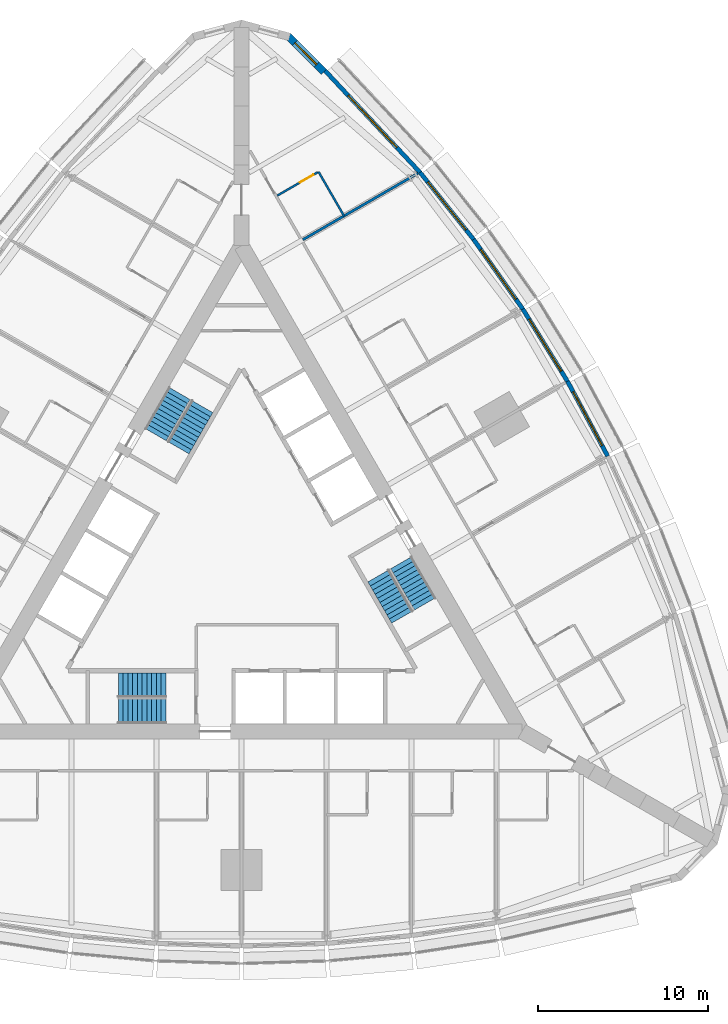
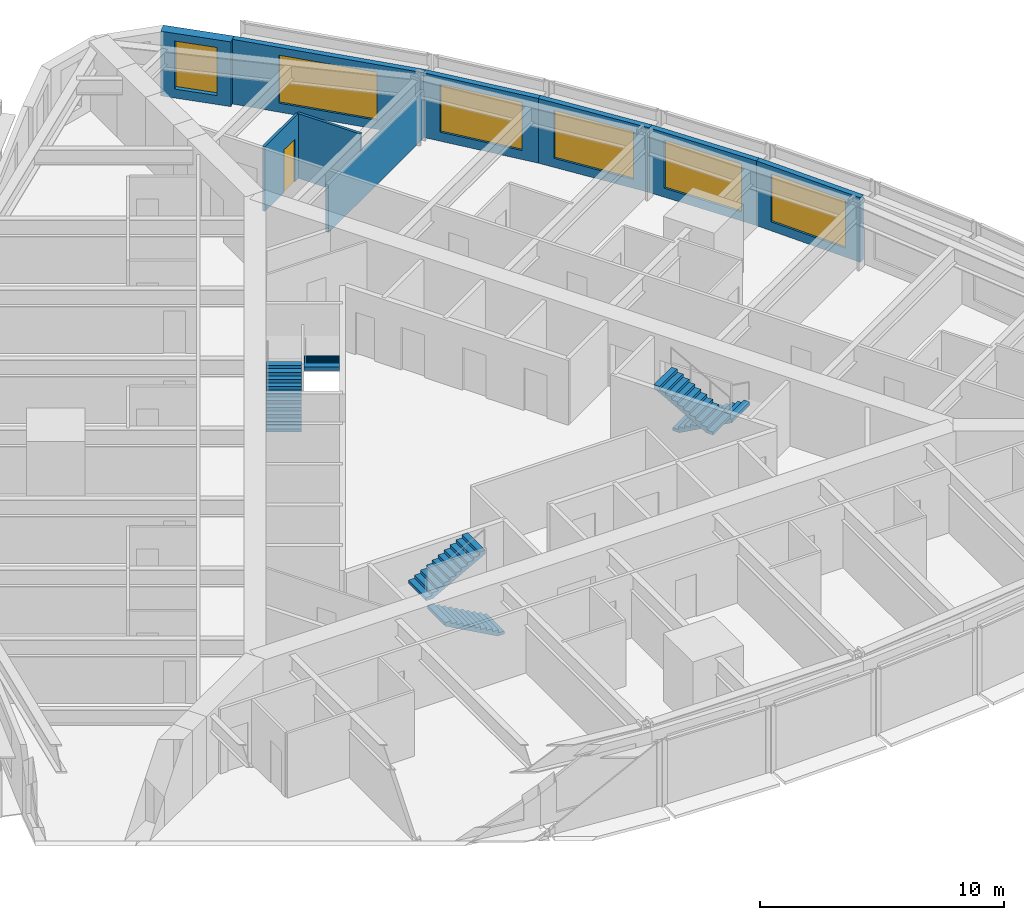
# One storey, part 13 of 14: 9 walls, 6 stair flights, 6 windows, 1 door, 7 openings, 3 elements without a shape of their own.
"""IFC4 building model written with IfcOpenShell, lengths in metres."""

import ifcopenshell
import ifcopenshell.guid

model = None  # the IFC model being written
_history = None  # IfcOwnerHistory: only IFC2X3 demands one
_inside = {}  # id of a spatial element -> (the spatial element, [elements in it])
_under = {}  # id of a project, library or spatial element -> (it, [spatial elements below it])
_declared = {}  # id of a project -> (the project, [libraries it declares])
_typed = {}  # id of a type object -> (the type object, [elements of that type])
_made_of = {}  # id of a material, layer set ... -> (it, [elements and type objects made of it])


def new_model(schema):
    """Start an empty IFC model of exactly this schema.

    Asked for "IFC4X3", IfcOpenShell would pick the latest addendum, in which some entities
    have other attributes; the version numbers below select the first issue.
    IFC2X3 requires an IfcOwnerHistory on every rooted entity: one is made here for all.
    """
    global model, _history
    if schema == "IFC4X3":
        model = ifcopenshell.file(schema_version=(4, 3, 0, 0))
    else:
        model = ifcopenshell.file(schema=schema)
    _inside.clear()
    _under.clear()
    _declared.clear()
    _typed.clear()
    _made_of.clear()
    _history = None
    if model.schema == "IFC2X3":
        org = make("IfcOrganization", Name="unknown")
        user = make(
            "IfcPersonAndOrganization",
            ThePerson=make("IfcPerson", FamilyName="unknown"),
            TheOrganization=org,
        )
        app = make(
            "IfcApplication",
            ApplicationDeveloper=org,
            Version="unknown",
            ApplicationFullName="unknown",
            ApplicationIdentifier="unknown",
        )
        _history = make(
            "IfcOwnerHistory",
            OwningUser=user,
            OwningApplication=app,
            ChangeAction="ADDED",
            CreationDate=0,
        )
    return model


def make(cls, **values):
    """One entity of the class cls with the attributes given. An attribute that is None is left unset."""
    return model.create_entity(
        cls, **{name: value for name, value in values.items() if value is not None}
    )


def rooted(cls, **values):
    """An entity with a GlobalId (a new one), such as an element, a storey or a relation."""
    return make(cls, GlobalId=ifcopenshell.guid.new(), OwnerHistory=_history, **values)


def si_unit(unit_type, name, prefix=None):
    """IfcSIUnit, for example si_unit("LENGTHUNIT", "METRE", prefix="MILLI")."""
    return make("IfcSIUnit", UnitType=unit_type, Prefix=prefix, Name=name)


def assignment(units):
    """IfcUnitAssignment: the units of a project."""
    return None if units is None else make("IfcUnitAssignment", Units=units)


def point(xyz):
    """IfcCartesianPoint."""
    return None if xyz is None else make("IfcCartesianPoint", Coordinates=xyz)


def direction(xyz):
    """IfcDirection."""
    return None if xyz is None else make("IfcDirection", DirectionRatios=xyz)


def frame(location, z_axis=None, x_axis=None):
    """IfcAxis2Placement3D, a coordinate frame: its origin and axes. An axis left out is left unset."""
    return make(
        "IfcAxis2Placement3D",
        Location=point(location),
        Axis=direction(z_axis),
        RefDirection=direction(x_axis),
    )


def frame_2d(location, x_axis=None):
    """IfcAxis2Placement2D, a coordinate frame in the plane: its origin and x axis."""
    return make(
        "IfcAxis2Placement2D", Location=point(location), RefDirection=direction(x_axis)
    )


def origin():
    """The frame at (0, 0, 0) with its axes left unset."""
    return frame((0.0, 0.0, 0.0))


def place(relative_to, where):
    """IfcLocalPlacement: puts the frame where relative to a parent placement (None: the world)."""
    return make(
        "IfcLocalPlacement", PlacementRelTo=relative_to, RelativePlacement=where
    )


def context(
    kind, dimensions, precision=None, world=None, true_north=None, identifier=None
):
    """IfcGeometricRepresentationContext, for example the 3D "Model" context."""
    return make(
        "IfcGeometricRepresentationContext",
        ContextIdentifier=identifier,
        ContextType=kind,
        CoordinateSpaceDimension=dimensions,
        Precision=precision,
        WorldCoordinateSystem=world,
        TrueNorth=true_north,
    )


def subcontext(parent, identifier, kind, view, scale=None):
    """IfcGeometricRepresentationSubContext, for example "Body" below "Model"."""
    return make(
        "IfcGeometricRepresentationSubContext",
        ContextIdentifier=identifier,
        ContextType=kind,
        ParentContext=parent,
        TargetScale=scale,
        TargetView=view,
    )


def project(units=None, contexts=None):
    """IfcProject with its units and contexts."""
    return rooted(
        "IfcProject",
        Name="project",
        RepresentationContexts=contexts,
        UnitsInContext=assignment(units),
    )


def spatial(cls, under=None, at=None, **own):
    """A site, building, storey or space (cls), placed at a placement, below another one or the project."""
    s = rooted(cls, ObjectPlacement=at, **own)
    if under is not None:
        _under.setdefault(under.id(), (under, []))[1].append(s)
    return s


def polyline(points):
    """IfcPolyline through the points."""
    return make("IfcPolyline", Points=[point(p) for p in points])


def profile(cls, at=None, kind="AREA", **sizes):
    """A parametric profile (cls). Its sizes go by their IFC names, for example OverallWidth=200.0."""
    return make(cls, ProfileType=kind, Position=at, **sizes)


def rectangle(**sizes):
    """IfcRectangleProfileDef."""
    return profile("IfcRectangleProfileDef", **sizes)


def outline(outer, holes=None, kind="AREA"):
    """IfcArbitraryClosedProfileDef: a profile drawn as a closed curve; with holes, ...WithVoids."""
    if holes is None:
        return make("IfcArbitraryClosedProfileDef", ProfileType=kind, OuterCurve=outer)
    return make(
        "IfcArbitraryProfileDefWithVoids",
        ProfileType=kind,
        OuterCurve=outer,
        InnerCurves=holes,
    )


def extrude(swept, where, along, depth):
    """IfcExtrudedAreaSolid: the profile swept, set in the frame where, extruded along a direction by depth."""
    return make(
        "IfcExtrudedAreaSolid",
        SweptArea=swept,
        Position=where,
        ExtrudedDirection=direction(along),
        Depth=depth,
    )


def shape(context_of_items, identifier, shape_type, items):
    """IfcShapeRepresentation: the items that make up one representation, for example the "Body"."""
    return make(
        "IfcShapeRepresentation",
        ContextOfItems=context_of_items,
        RepresentationIdentifier=identifier,
        RepresentationType=shape_type,
        Items=items,
    )


def material(Name=None, Category=None):
    """IfcMaterial."""
    return make("IfcMaterial", Name=Name, Category=Category)


def layer(
    of_material, thickness, ventilated=None, Name=None, Category=None, Priority=None
):
    """IfcMaterialLayer: one layer of a wall or slab, of a material (None: an air gap)."""
    return make(
        "IfcMaterialLayer",
        Material=of_material,
        LayerThickness=thickness,
        IsVentilated=ventilated,
        Name=Name,
        Category=Category,
        Priority=Priority,
    )


def layer_set(layers, Name=None):
    """IfcMaterialLayerSet."""
    return make("IfcMaterialLayerSet", MaterialLayers=layers, LayerSetName=Name)


def made_of(thing, what):
    """Note that an element or type object is made of a material, layer set ...; save() writes the relation."""
    if what is not None:
        _made_of.setdefault(what.id(), (what, []))[1].append(thing)
    return thing


def type_object(cls, material=None, **own):
    """A type object (cls), such as IfcWallType, which elements share."""
    return made_of(rooted(cls, **own), material)


def element(
    cls,
    number,
    at=None,
    inside=None,
    cuts=None,
    type_object=None,
    material=None,
    context=None,
    identifier="Body",
    shape_type=None,
    held_by="IfcProductDefinitionShape",
    body=None,
    shapes=None,
    **own,
):
    """One element of the class cls, such as IfcWall. Its Tag is "e" and its number.

    at: its placement. inside: the storey or other place that contains it. cuts: it is an
    opening in that element (IfcRelVoidsElement). A single representation is given by context,
    identifier, shape_type and body (its items); several are given by shapes. held_by: the class
    of the entity that holds the representations. save() writes the other relations.
    """
    e = rooted(cls, Tag="e%d" % number, ObjectPlacement=at, **own)
    if body is not None:
        shapes = [shape(context, identifier, shape_type, body)]
    if shapes is not None:
        e.Representation = make(held_by, Representations=shapes)
    if inside is not None:
        _inside.setdefault(inside.id(), (inside, []))[1].append(e)
    if cuts is not None:
        rooted(
            "IfcRelVoidsElement", RelatingBuildingElement=cuts, RelatedOpeningElement=e
        )
    if type_object is not None:
        _typed.setdefault(type_object.id(), (type_object, []))[1].append(e)
    return made_of(e, material)


def fill(opening, filler):
    """IfcRelFillsElement: the door or window that sits in an opening."""
    return rooted(
        "IfcRelFillsElement",
        RelatingOpeningElement=opening,
        RelatedBuildingElement=filler,
    )


def aggregate(whole, parts):
    """IfcRelAggregates: a whole, such as a stair, and the parts it consists of."""
    return rooted("IfcRelAggregates", RelatingObject=whole, RelatedObjects=parts)


def save(model, path):
    """Write the relations noted so far, then the file.

    IfcRelAggregates (storeys below a building ...), IfcRelContainedInSpatialStructure (elements
    in a storey), IfcRelDefinesByType, IfcRelAssociatesMaterial and IfcRelDeclares: one each for
    every whole, place, type object, material and project.
    """
    for whole, parts in _under.values():
        aggregate(whole, parts)
    for where, things in _inside.values():
        rooted(
            "IfcRelContainedInSpatialStructure",
            RelatedElements=things,
            RelatingStructure=where,
        )
    for kind, things in _typed.values():
        rooted("IfcRelDefinesByType", RelatedObjects=things, RelatingType=kind)
    for what, things in _made_of.values():
        rooted("IfcRelAssociatesMaterial", RelatedObjects=things, RelatingMaterial=what)
    for by, libraries in _declared.values():
        rooted("IfcRelDeclares", RelatingContext=by, RelatedDefinitions=libraries)
    model.write(path)


model = new_model("IFC4")

# Units and contexts
model_context = context("Model", 3, precision=1e-05, world=origin(), true_north=direction((0.0, 1.0)))
body_context = subcontext(model_context, "Body", "Model", "MODEL_VIEW")
ifc_project = project(units=[si_unit("LENGTHUNIT", "METRE"), si_unit("AREAUNIT", "SQUARE_METRE"), si_unit("VOLUMEUNIT", "CUBIC_METRE"), si_unit("PLANEANGLEUNIT", "RADIAN"), si_unit("MASSUNIT", "GRAM", prefix="KILO")], contexts=[model_context])

# Site, building, storey
site_placement = place(None, origin())
site = spatial("IfcSite", under=ifc_project, at=site_placement, CompositionType="ELEMENT")
building_placement = place(site_placement, origin())
building = spatial("IfcBuilding", under=site, at=building_placement, Name="Trikona Tower", CompositionType="ELEMENT")
storey_placement = place(building_placement, frame((0.0, 0.0, 86.300048828125)))
storey = spatial("IfcBuildingStorey", under=building, at=storey_placement, Name="L22", CompositionType="ELEMENT", Elevation=86.300048828125)

# Wall
ifc_material_1 = material(Name="Metal stud and cement board", Category="gypsum")
ifc_layer_1 = layer(ifc_material_1, 0.1201171875)
ifc_layer_set_1 = layer_set([ifc_layer_1], Name="Bathroom wall 120")
wall_type_1 = type_object("IfcWallType", Name="Bathroom wall 120", PredefinedType="PLUMBINGWALL", material=ifc_layer_set_1)
wall_1_placement = place(storey_placement, frame((6.03271484375, 20.803466796875, 0.0), z_axis=(0.0, 0.0, 1.0), x_axis=(-0.499990139034, 0.866031096941, 0.0)))
element("IfcWall", 1, at=wall_1_placement, inside=storey, type_object=wall_type_1, Name="Bathroom wall 2212", PredefinedType="PLUMBINGWALL", context=body_context, shape_type="SweptSolid", body=[
    extrude(rectangle(XDim=3.0, YDim=0.1201171875, at=frame_2d((1.5, 0.0))), origin(), (0.0, 0.0, 1.0), 3.23486328125),
])

# Wall, opening, door
wall_2_placement = place(storey_placement, frame((2.10791015625, 22.001708984375, 0.0), z_axis=(0.0, 0.0, 1.0), x_axis=(0.866035715982, 0.499982138324, 0.0)))
wall_2 = element("IfcWall", 2, at=wall_2_placement, inside=storey, type_object=wall_type_1, Name="Bathroom wall 2212", PredefinedType="PLUMBINGWALL", context=body_context, shape_type="SweptSolid", body=[
    extrude(rectangle(XDim=2.73974609375, YDim=0.1201171875, at=frame_2d((1.369873046875, 0.0))), origin(), (0.0, 0.0, 1.0), 3.23486328125),
])
opening_1_placement = place(wall_2_placement, frame((1.550048828125, 0.0, 0.0)))
opening_1 = element("IfcOpeningElement", 3, at=opening_1_placement, cuts=wall_2, Name="Opening D2", PredefinedType="OPENING", context=body_context, shape_type="SweptSolid", body=[
    extrude(rectangle(XDim=0.89990234375, YDim=2.1298828125, at=frame_2d((0.449951171875, 1.06494140625))), frame((0.0, 0.070068359375, 0.0), z_axis=(0.0, -1.0, 0.0), x_axis=(1.0, 0.0, 0.0)), (0.0, 0.0, 1.0), 0.14013671875),
])
ifc_material_2 = material(Name="Steel door frame with solid-core timber leaf", Category="steel")
door_type = type_object("IfcDoorType", Name="Bathroom door 900x2130", OperationType="SLIDING_TO_LEFT", PredefinedType="DOOR", material=ifc_material_2)
door_placement = place(opening_1_placement, origin())
door = element("IfcDoor", 4, at=door_placement, inside=storey, type_object=door_type, Name="Bathroom door 2212", OperationType="SLIDING_TO_LEFT", OverallHeight=2.1298828125, OverallWidth=0.89990234375, PredefinedType="DOOR", context=body_context, shape_type="SweptSolid", body=[
    extrude(rectangle(XDim=0.89990234375, YDim=2.1298828125, at=frame_2d((0.449951171875, 1.06494140625))), frame((0.0, 0.02490234375, 0.0), z_axis=(0.0, -1.0, 0.0), x_axis=(1.0, 0.0, 0.0)), (0.0, 0.0, 1.0), 0.050048828125),
])
fill(opening_1, door)

# Wall, opening, window
ifc_material_3 = material(Name="Brick-faced precast concrete", Category="masonry")
ifc_layer_2 = layer(ifc_material_3, 0.449951171875)
ifc_layer_set_2 = layer_set([ifc_layer_2], Name="Brick-faced corner wall 450")
wall_type_2 = type_object("IfcWallType", Name="Brick-faced corner wall 450", PredefinedType="SOLIDWALL", material=ifc_layer_set_2)
wall_3_placement = place(storey_placement, frame((4.8408203125, 29.285888671875, 0.0), z_axis=(0.0, 0.0, 1.0), x_axis=(-0.707106781187, 0.707106781187, 0.0)))
wall_3 = element("IfcWall", 5, at=wall_3_placement, inside=storey, type_object=wall_type_2, Name="External wall L22-20", PredefinedType="SOLIDWALL", context=body_context, shape_type="SweptSolid", body=[
    extrude(rectangle(XDim=2.98828125, YDim=0.449951171875, at=frame_2d((1.494140625, 0.0))), origin(), (0.0, 0.0, 1.0), 3.23486328125),
])
opening_2_placement = place(wall_3_placement, frame((0.59423828125, 0.0, 0.449951171875)))
opening_2 = element("IfcOpeningElement", 6, at=opening_2_placement, cuts=wall_3, Name="Opening W1824", PredefinedType="OPENING", context=body_context, shape_type="SweptSolid", body=[
    extrude(rectangle(XDim=1.800048828125, YDim=2.39990234375, at=frame_2d((0.89990234375, 1.199951171875))), frame((0.0, 0.23486328125, 0.0), z_axis=(0.0, -1.0, 0.0), x_axis=(1.0, 0.0, 0.0)), (0.0, 0.0, 1.0), 0.469970703125),
])
ifc_material_4 = material(Name="Aluminium-framed double glazing", Category="aluminium")
window_type_1 = type_object("IfcWindowType", Name="Window 1800x2400", PartitioningType="SINGLE_PANEL", PredefinedType="WINDOW", material=ifc_material_4)
window_1_placement = place(opening_2_placement, origin())
window_1 = element("IfcWindow", 7, at=window_1_placement, inside=storey, type_object=window_type_1, Name="Window 2212", OverallHeight=2.39990234375, OverallWidth=1.800048828125, PartitioningType="SINGLE_PANEL", PredefinedType="WINDOW", context=body_context, shape_type="SweptSolid", body=[
    extrude(rectangle(XDim=1.800048828125, YDim=2.39990234375, at=frame_2d((0.89990234375, 1.199951171875))), frame((0.0, 0.030029296875, 0.0), z_axis=(0.0, -1.0, 0.0), x_axis=(1.0, 0.0, 0.0)), (0.0, 0.0, 1.0), 0.06005859375),
])
fill(opening_2, window_1)

ifc_material_5 = material(Name="Insulated precast concrete spandrel panel", Category="concrete")
ifc_layer_3 = layer(ifc_material_5, 0.25)
ifc_layer_set_3 = layer_set([ifc_layer_3], Name="Inner skin wall 250")
wall_type_3 = type_object("IfcWallType", Name="Inner skin wall 250", PredefinedType="STANDARD", material=ifc_layer_set_3)
wall_4_placement = place(storey_placement, frame((21.546630859375, 6.6708984375, 0.0), z_axis=(0.0, 0.0, 1.0), x_axis=(-0.473412820489, 0.880840678782, 0.0)))
wall_4 = element("IfcWall", 8, at=wall_4_placement, inside=storey, type_object=wall_type_3, Name="External wall L22-15", PredefinedType="STANDARD", context=body_context, shape_type="SweptSolid", body=[
    extrude(rectangle(XDim=5.00244140625, YDim=0.25, at=frame_2d((2.501220703125, 0.0))), origin(), (0.0, 0.0, 1.0), 3.23486328125),
])
opening_3_placement = place(wall_4_placement, frame((0.701171875, 0.0, 0.449951171875)))
opening_3 = element("IfcOpeningElement", 9, at=opening_3_placement, cuts=wall_4, Name="Opening W3624", PredefinedType="OPENING", context=body_context, shape_type="SweptSolid", body=[
    extrude(rectangle(XDim=3.60009765625, YDim=2.39990234375, at=frame_2d((1.800048828125, 1.199951171875))), frame((0.0, 0.135009765625, 0.0), z_axis=(0.0, -1.0, 0.0), x_axis=(1.0, 0.0, 0.0)), (0.0, 0.0, 1.0), 0.27001953125),
])
ifc_material_6 = material(Name="Aluminium-framed double glazing", Category="aluminium")
window_type_2 = type_object("IfcWindowType", Name="Window 3600x2400", PartitioningType="SINGLE_PANEL", PredefinedType="WINDOW", material=ifc_material_6)
window_2_placement = place(opening_3_placement, origin())
window_2 = element("IfcWindow", 10, at=window_2_placement, inside=storey, type_object=window_type_2, Name="Window 2209.1", OverallHeight=2.39990234375, OverallWidth=3.60009765625, PartitioningType="SINGLE_PANEL", PredefinedType="WINDOW", context=body_context, shape_type="SweptSolid", body=[
    extrude(rectangle(XDim=3.60009765625, YDim=2.39990234375, at=frame_2d((1.800048828125, 1.199951171875))), frame((0.0, 0.030029296875, 0.0), z_axis=(0.0, -1.0, 0.0), x_axis=(1.0, 0.0, 0.0)), (0.0, 0.0, 1.0), 0.06005859375),
])
fill(opening_3, window_2)

wall_5_placement = place(storey_placement, frame((19.182373046875, 11.070556640625, 0.0), z_axis=(0.0, 0.0, 1.0), x_axis=(-0.526132807704, 0.850402415717, 0.0)))
wall_5 = element("IfcWall", 11, at=wall_5_placement, inside=storey, type_object=wall_type_3, Name="External wall L22-16", PredefinedType="STANDARD", context=body_context, shape_type="SweptSolid", body=[
    extrude(rectangle(XDim=5.002197265625, YDim=0.25, at=frame_2d((2.5009765625, 0.0))), origin(), (0.0, 0.0, 1.0), 3.23486328125),
])
opening_4_placement = place(wall_5_placement, frame((0.701171875, 0.0, 0.449951171875)))
opening_4 = element("IfcOpeningElement", 12, at=opening_4_placement, cuts=wall_5, Name="Opening W3624", PredefinedType="OPENING", context=body_context, shape_type="SweptSolid", body=[
    extrude(rectangle(XDim=3.60009765625, YDim=2.39990234375, at=frame_2d((1.800048828125, 1.199951171875))), frame((0.0, 0.135009765625, 0.0), z_axis=(0.0, -1.0, 0.0), x_axis=(1.0, 0.0, 0.0)), (0.0, 0.0, 1.0), 0.27001953125),
])
window_3_placement = place(opening_4_placement, origin())
window_3 = element("IfcWindow", 13, at=window_3_placement, inside=storey, type_object=window_type_2, Name="Window 2210", OverallHeight=2.39990234375, OverallWidth=3.60009765625, PartitioningType="SINGLE_PANEL", PredefinedType="WINDOW", context=body_context, shape_type="SweptSolid", body=[
    extrude(rectangle(XDim=3.60009765625, YDim=2.39990234375, at=frame_2d((1.800048828125, 1.199951171875))), frame((0.0, 0.030029296875, 0.0), z_axis=(0.0, -1.0, 0.0), x_axis=(1.0, 0.0, 0.0)), (0.0, 0.0, 1.0), 0.06005859375),
])
fill(opening_4, window_3)

wall_6_placement = place(storey_placement, frame((16.5546875, 15.318115234375, 0.0), z_axis=(0.0, 0.0, 1.0), x_axis=(-0.5766431066, 0.81699616132, 0.0)))
wall_6 = element("IfcWall", 14, at=wall_6_placement, inside=storey, type_object=wall_type_3, Name="External wall L22-17", PredefinedType="STANDARD", context=body_context, shape_type="SweptSolid", body=[
    extrude(rectangle(XDim=5.02099609375, YDim=0.25, at=frame_2d((2.510498046875, 0.0))), origin(), (0.0, 0.0, 1.0), 3.23486328125),
])
opening_5_placement = place(wall_6_placement, frame((0.71044921875, 0.0, 0.449951171875)))
opening_5 = element("IfcOpeningElement", 15, at=opening_5_placement, cuts=wall_6, Name="Opening W3624", PredefinedType="OPENING", context=body_context, shape_type="SweptSolid", body=[
    extrude(rectangle(XDim=3.60009765625, YDim=2.39990234375, at=frame_2d((1.800048828125, 1.199951171875))), frame((0.0, 0.135009765625, 0.0), z_axis=(0.0, -1.0, 0.0), x_axis=(1.0, 0.0, 0.0)), (0.0, 0.0, 1.0), 0.27001953125),
])
window_4_placement = place(opening_5_placement, origin())
window_4 = element("IfcWindow", 16, at=window_4_placement, inside=storey, type_object=window_type_2, Name="Window 2211", OverallHeight=2.39990234375, OverallWidth=3.60009765625, PartitioningType="SINGLE_PANEL", PredefinedType="WINDOW", context=body_context, shape_type="SweptSolid", body=[
    extrude(rectangle(XDim=3.60009765625, YDim=2.39990234375, at=frame_2d((1.800048828125, 1.199951171875))), frame((0.0, 0.030029296875, 0.0), z_axis=(0.0, -1.0, 0.0), x_axis=(1.0, 0.0, 0.0)), (0.0, 0.0, 1.0), 0.06005859375),
])
fill(opening_5, window_4)

wall_7_placement = place(storey_placement, frame((13.663818359375, 19.4140625, 0.0), z_axis=(0.0, 0.0, 1.0), x_axis=(-0.624594965756, 0.780948864364, 0.0)))
wall_7 = element("IfcWall", 17, at=wall_7_placement, inside=storey, type_object=wall_type_3, Name="External wall L22-18", PredefinedType="STANDARD", context=body_context, shape_type="SweptSolid", body=[
    extrude(rectangle(XDim=5.0576171875, YDim=0.25, at=frame_2d((2.52880859375, 0.0))), origin(), (0.0, 0.0, 1.0), 3.23486328125),
])
opening_6_placement = place(wall_7_placement, frame((0.728759765625, 0.0, 0.449951171875)))
opening_6 = element("IfcOpeningElement", 18, at=opening_6_placement, cuts=wall_7, Name="Opening W3624", PredefinedType="OPENING", context=body_context, shape_type="SweptSolid", body=[
    extrude(rectangle(XDim=3.60009765625, YDim=2.39990234375, at=frame_2d((1.800048828125, 1.199951171875))), frame((0.0, 0.135009765625, 0.0), z_axis=(0.0, -1.0, 0.0), x_axis=(1.0, 0.0, 0.0)), (0.0, 0.0, 1.0), 0.27001953125),
])
window_5_placement = place(opening_6_placement, origin())
window_5 = element("IfcWindow", 19, at=window_5_placement, inside=storey, type_object=window_type_2, Name="Window 2211", OverallHeight=2.39990234375, OverallWidth=3.60009765625, PartitioningType="SINGLE_PANEL", PredefinedType="WINDOW", context=body_context, shape_type="SweptSolid", body=[
    extrude(rectangle(XDim=3.60009765625, YDim=2.39990234375, at=frame_2d((1.800048828125, 1.199951171875))), frame((0.0, 0.030029296875, 0.0), z_axis=(0.0, -1.0, 0.0), x_axis=(1.0, 0.0, 0.0)), (0.0, 0.0, 1.0), 0.06005859375),
])
fill(opening_6, window_5)

wall_8_placement = place(storey_placement, frame((10.510986328125, 23.356689453125, 0.0), z_axis=(0.0, 0.0, 1.0), x_axis=(-0.682289646561, 0.731081964075, 0.0)))
wall_8 = element("IfcWall", 20, at=wall_8_placement, inside=storey, type_object=wall_type_3, Name="External wall L22-19", PredefinedType="STANDARD", context=body_context, shape_type="SweptSolid", body=[
    extrude(rectangle(XDim=8.2109375, YDim=0.25, at=frame_2d((4.10546875, 0.0))), origin(), (0.0, 0.0, 1.0), 3.23486328125),
])
opening_7_placement = place(wall_8_placement, frame((2.005615234375, 0.0, 0.449951171875)))
opening_7 = element("IfcOpeningElement", 21, at=opening_7_placement, cuts=wall_8, Name="Opening W4224", PredefinedType="OPENING", context=body_context, shape_type="SweptSolid", body=[
    extrude(rectangle(XDim=4.199951171875, YDim=2.39990234375, at=frame_2d((2.10009765625, 1.199951171875))), frame((0.0, 0.135009765625, 0.0), z_axis=(0.0, -1.0, 0.0), x_axis=(1.0, 0.0, 0.0)), (0.0, 0.0, 1.0), 0.27001953125),
])
ifc_material_7 = material(Name="Aluminium-framed double glazing", Category="aluminium")
window_type_3 = type_object("IfcWindowType", Name="Window 4200x2400", PartitioningType="SINGLE_PANEL", PredefinedType="WINDOW", material=ifc_material_7)
window_6_placement = place(opening_7_placement, origin())
window_6 = element("IfcWindow", 22, at=window_6_placement, inside=storey, type_object=window_type_3, Name="Window 2212", OverallHeight=2.39990234375, OverallWidth=4.199951171875, PartitioningType="SINGLE_PANEL", PredefinedType="WINDOW", context=body_context, shape_type="SweptSolid", body=[
    extrude(rectangle(XDim=4.199951171875, YDim=2.39990234375, at=frame_2d((2.10009765625, 1.199951171875))), frame((0.0, 0.030029296875, 0.0), z_axis=(0.0, -1.0, 0.0), x_axis=(1.0, 0.0, 0.0)), (0.0, 0.0, 1.0), 0.06005859375),
])
fill(opening_7, window_6)

# Wall
ifc_material_8 = material(Name="Metal stud and gypsum board, 1-hour acoustic", Category="gypsum")
ifc_layer_4 = layer(ifc_material_8, 0.14990234375)
ifc_layer_set_4 = layer_set([ifc_layer_4], Name="Party wall 150")
wall_type_4 = type_object("IfcWallType", Name="Party wall 150", PredefinedType="PARTITIONING", material=ifc_layer_set_4)
wall_9_placement = place(storey_placement, frame((3.60791015625, 19.403564453125, 0.0), z_axis=(0.0, 0.0, 1.0), x_axis=(0.866021300503, 0.500007107024, 0.0)))
element("IfcWall", 23, at=wall_9_placement, inside=storey, type_object=wall_type_4, Name="Partition L22 F2 u15", PredefinedType="PARTITIONING", context=body_context, shape_type="SweptSolid", body=[
    extrude(rectangle(XDim=7.8203125, YDim=0.14990234375, at=frame_2d((3.91015625, 0.0))), origin(), (0.0, 0.0, 1.0), 2.38916015625),
])

# Stair, stair flights
ifc_material_9 = material(Name="Concrete f'c 5000 psi", Category="concrete")
stair_type = type_object("IfcStairType", Name="Core stair", PredefinedType="HALF_TURN_STAIR", material=ifc_material_9)
stair_1_placement = place(storey_placement, origin())
stair_1 = element("IfcStair", 24, at=stair_1_placement, inside=storey, type_object=stair_type, Name="Stair A L22", PredefinedType="HALF_TURN_STAIR")
ifc_material_10 = material(Name="Concrete f'c 5000 psi", Category="concrete")
stair_flight_type = type_object("IfcStairFlightType", Name="Core stair flight 1450", PredefinedType="STRAIGHT", material=ifc_material_10)
stair_flight_1_placement = place(storey_placement, frame((-4.449951171875, -8.351318359375, 0.0), z_axis=(0.0, 0.0, 1.0), x_axis=(-1.0, 0.0, 0.0)))
stair_flight_1 = element("IfcStairFlight", 25, at=stair_flight_1_placement, type_object=stair_flight_type, Name="ST-A flight 1", NumberOfRisers=11, NumberOfTreads=10, PredefinedType="STRAIGHT", RiserHeight=0.154545, TreadLength=0.28, context=body_context, shape_type="SweptSolid", body=[
    extrude(outline(polyline([(0.0, 0.0), (0.0, 0.154541015625), (0.280029296875, 0.154541015625), (0.280029296875, 0.30908203125), (0.56005859375, 0.30908203125), (0.56005859375, 0.463623046875), (0.840087890625, 0.463623046875), (0.840087890625, 0.6181640625), (1.1201171875, 0.6181640625), (1.1201171875, 0.772705078125), (1.39990234375, 0.772705078125), (1.39990234375, 0.92724609375), (1.679931640625, 0.92724609375), (1.679931640625, 1.081787109375), (1.9599609375, 1.081787109375), (1.9599609375, 1.236328125), (2.239990234375, 1.236328125), (2.239990234375, 1.390869140625), (2.52001953125, 1.390869140625), (2.52001953125, 1.54541015625), (2.800048828125, 1.54541015625), (2.800048828125, 1.699951171875), (2.800048828125, 1.374267578125), (0.310302734375, 0.0), (0.0, 0.0)])), frame((0.0, 0.72509765625, 0.0), z_axis=(0.0, -1.0, 0.0), x_axis=(1.0, 0.0, 0.0)), (0.0, 0.0, 1.0), 1.449951171875),
])
stair_flight_2_placement = place(storey_placement, frame((-7.25, -6.80126953125, 1.699951171875), z_axis=(0.0, 0.0, 1.0), x_axis=(1.0, 0.0, 0.0)))
stair_flight_2 = element("IfcStairFlight", 26, at=stair_flight_2_placement, type_object=stair_flight_type, Name="ST-A flight 2", NumberOfRisers=11, NumberOfTreads=10, PredefinedType="STRAIGHT", RiserHeight=0.154545, TreadLength=0.28, context=body_context, shape_type="SweptSolid", body=[
    extrude(outline(polyline([(0.0, 0.0), (0.0, 0.154541015625), (0.280029296875, 0.154541015625), (0.280029296875, 0.30908203125), (0.56005859375, 0.30908203125), (0.56005859375, 0.463623046875), (0.840087890625, 0.463623046875), (0.840087890625, 0.6181640625), (1.1201171875, 0.6181640625), (1.1201171875, 0.772705078125), (1.39990234375, 0.772705078125), (1.39990234375, 0.92724609375), (1.679931640625, 0.92724609375), (1.679931640625, 1.081787109375), (1.9599609375, 1.081787109375), (1.9599609375, 1.236328125), (2.239990234375, 1.236328125), (2.239990234375, 1.390869140625), (2.52001953125, 1.390869140625), (2.52001953125, 1.54541015625), (2.800048828125, 1.54541015625), (2.800048828125, 1.699951171875), (2.800048828125, 1.374267578125), (0.310302734375, 0.0), (0.0, 0.0)])), frame((0.0, 0.72509765625, 0.0), z_axis=(0.0, -1.0, 0.0), x_axis=(1.0, 0.0, 0.0)), (0.0, 0.0, 1.0), 1.449951171875),
])
aggregate(stair_1, [stair_flight_1, stair_flight_2])

stair_2_placement = place(storey_placement, origin())
stair_2 = element("IfcStair", 27, at=stair_2_placement, inside=storey, type_object=stair_type, Name="Stair B L22", PredefinedType="HALF_TURN_STAIR")
stair_flight_3_placement = place(storey_placement, frame((9.407470703125, 0.408447265625, 0.0), z_axis=(0.0, 0.0, 1.0), x_axis=(0.5, -0.866025403784, 0.0)))
stair_flight_3 = element("IfcStairFlight", 28, at=stair_flight_3_placement, type_object=stair_flight_type, Name="ST-B flight 1", NumberOfRisers=11, NumberOfTreads=10, PredefinedType="STRAIGHT", RiserHeight=0.154545, TreadLength=0.28, context=body_context, shape_type="SweptSolid", body=[
    extrude(outline(polyline([(0.0, 0.0), (0.0, 0.154541015625), (0.280029296875, 0.154541015625), (0.280029296875, 0.30908203125), (0.56005859375, 0.30908203125), (0.56005859375, 0.463623046875), (0.840087890625, 0.463623046875), (0.840087890625, 0.6181640625), (1.1201171875, 0.6181640625), (1.1201171875, 0.772705078125), (1.39990234375, 0.772705078125), (1.39990234375, 0.92724609375), (1.679931640625, 0.92724609375), (1.679931640625, 1.081787109375), (1.9599609375, 1.081787109375), (1.9599609375, 1.236328125), (2.239990234375, 1.236328125), (2.239990234375, 1.390869140625), (2.52001953125, 1.390869140625), (2.52001953125, 1.54541015625), (2.800048828125, 1.54541015625), (2.800048828125, 1.699951171875), (2.800048828125, 1.374267578125), (0.310302734375, 0.0), (0.0, 0.0)])), frame((0.0, 0.72509765625, 0.0), z_axis=(0.0, -1.0, 0.0), x_axis=(1.0, 0.0, 0.0)), (0.0, 0.0, 1.0), 1.449951171875),
])
stair_flight_4_placement = place(storey_placement, frame((9.465087890625, -2.79150390625, 1.699951171875), z_axis=(0.0, 0.0, 1.0), x_axis=(-0.5, 0.866025403784, 0.0)))
stair_flight_4 = element("IfcStairFlight", 29, at=stair_flight_4_placement, type_object=stair_flight_type, Name="ST-B flight 2", NumberOfRisers=11, NumberOfTreads=10, PredefinedType="STRAIGHT", RiserHeight=0.154545, TreadLength=0.28, context=body_context, shape_type="SweptSolid", body=[
    extrude(outline(polyline([(0.0, 0.0), (0.0, 0.154541015625), (0.280029296875, 0.154541015625), (0.280029296875, 0.30908203125), (0.56005859375, 0.30908203125), (0.56005859375, 0.463623046875), (0.840087890625, 0.463623046875), (0.840087890625, 0.6181640625), (1.1201171875, 0.6181640625), (1.1201171875, 0.772705078125), (1.39990234375, 0.772705078125), (1.39990234375, 0.92724609375), (1.679931640625, 0.92724609375), (1.679931640625, 1.081787109375), (1.9599609375, 1.081787109375), (1.9599609375, 1.236328125), (2.239990234375, 1.236328125), (2.239990234375, 1.390869140625), (2.52001953125, 1.390869140625), (2.52001953125, 1.54541015625), (2.800048828125, 1.54541015625), (2.800048828125, 1.699951171875), (2.800048828125, 1.374267578125), (0.310302734375, 0.0), (0.0, 0.0)])), frame((0.0, 0.72509765625, 0.0), z_axis=(0.0, -1.0, 0.0), x_axis=(1.0, 0.0, 0.0)), (0.0, 0.0, 1.0), 1.449951171875),
])
aggregate(stair_2, [stair_flight_3, stair_flight_4])

stair_3_placement = place(storey_placement, origin())
stair_3 = element("IfcStair", 30, at=stair_3_placement, inside=storey, type_object=stair_type, Name="Stair C L22", PredefinedType="HALF_TURN_STAIR")
stair_flight_5_placement = place(storey_placement, frame((-5.057373046875, 7.94287109375, 0.0), z_axis=(0.0, 0.0, 1.0), x_axis=(0.5, 0.866025403784, 0.0)))
stair_flight_5 = element("IfcStairFlight", 31, at=stair_flight_5_placement, type_object=stair_flight_type, Name="ST-C flight 1", NumberOfRisers=11, NumberOfTreads=10, PredefinedType="STRAIGHT", RiserHeight=0.154545, TreadLength=0.28, context=body_context, shape_type="SweptSolid", body=[
    extrude(outline(polyline([(0.0, 0.0), (0.0, 0.154541015625), (0.280029296875, 0.154541015625), (0.280029296875, 0.30908203125), (0.56005859375, 0.30908203125), (0.56005859375, 0.463623046875), (0.840087890625, 0.463623046875), (0.840087890625, 0.6181640625), (1.1201171875, 0.6181640625), (1.1201171875, 0.772705078125), (1.39990234375, 0.772705078125), (1.39990234375, 0.92724609375), (1.679931640625, 0.92724609375), (1.679931640625, 1.081787109375), (1.9599609375, 1.081787109375), (1.9599609375, 1.236328125), (2.239990234375, 1.236328125), (2.239990234375, 1.390869140625), (2.52001953125, 1.390869140625), (2.52001953125, 1.54541015625), (2.800048828125, 1.54541015625), (2.800048828125, 1.699951171875), (2.800048828125, 1.374267578125), (0.310302734375, 0.0), (0.0, 0.0)])), frame((0.0, 0.72509765625, 0.0), z_axis=(0.0, -1.0, 0.0), x_axis=(1.0, 0.0, 0.0)), (0.0, 0.0, 1.0), 1.449951171875),
])
stair_flight_6_placement = place(storey_placement, frame((-2.315185546875, 9.5927734375, 1.699951171875), z_axis=(0.0, 0.0, 1.0), x_axis=(-0.5, -0.866025403784, 0.0)))
stair_flight_6 = element("IfcStairFlight", 32, at=stair_flight_6_placement, type_object=stair_flight_type, Name="ST-C flight 2", NumberOfRisers=11, NumberOfTreads=10, PredefinedType="STRAIGHT", RiserHeight=0.154545, TreadLength=0.28, context=body_context, shape_type="SweptSolid", body=[
    extrude(outline(polyline([(0.0, 0.0), (0.0, 0.154541015625), (0.280029296875, 0.154541015625), (0.280029296875, 0.30908203125), (0.56005859375, 0.30908203125), (0.56005859375, 0.463623046875), (0.840087890625, 0.463623046875), (0.840087890625, 0.6181640625), (1.1201171875, 0.6181640625), (1.1201171875, 0.772705078125), (1.39990234375, 0.772705078125), (1.39990234375, 0.92724609375), (1.679931640625, 0.92724609375), (1.679931640625, 1.081787109375), (1.9599609375, 1.081787109375), (1.9599609375, 1.236328125), (2.239990234375, 1.236328125), (2.239990234375, 1.390869140625), (2.52001953125, 1.390869140625), (2.52001953125, 1.54541015625), (2.800048828125, 1.54541015625), (2.800048828125, 1.699951171875), (2.800048828125, 1.374267578125), (0.310302734375, 0.0), (0.0, 0.0)])), frame((0.0, 0.72509765625, 0.0), z_axis=(0.0, -1.0, 0.0), x_axis=(1.0, 0.0, 0.0)), (0.0, 0.0, 1.0), 1.449951171875),
])
aggregate(stair_3, [stair_flight_5, stair_flight_6])

save(model, "model.ifc")
